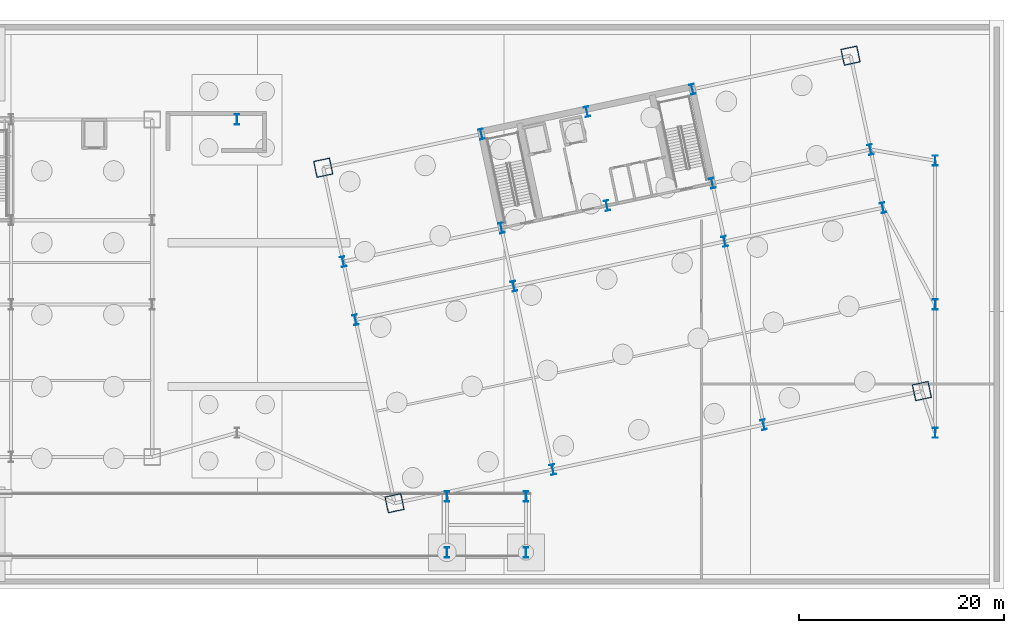
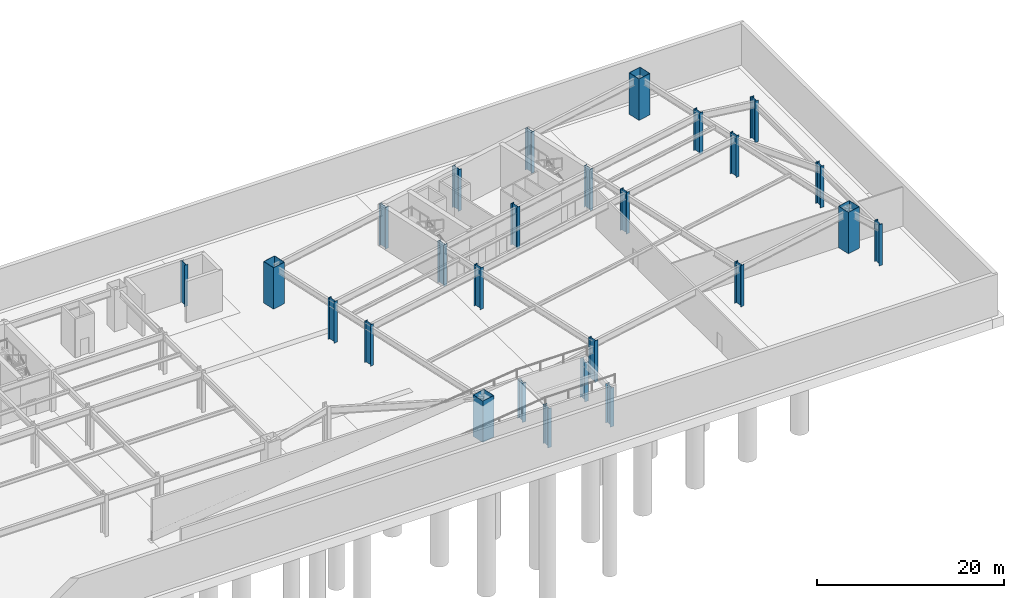
# One storey, part 3 of 15: 26 columns.
"""IFC4 building model written with IfcOpenShell, lengths in metres."""

import ifcopenshell
import ifcopenshell.guid

model = None  # the IFC model being written
_history = None  # IfcOwnerHistory: only IFC2X3 demands one
_inside = {}  # id of a spatial element -> (the spatial element, [elements in it])
_under = {}  # id of a project, library or spatial element -> (it, [spatial elements below it])
_declared = {}  # id of a project -> (the project, [libraries it declares])
_typed = {}  # id of a type object -> (the type object, [elements of that type])
_made_of = {}  # id of a material, layer set ... -> (it, [elements and type objects made of it])


def new_model(schema):
    """Start an empty IFC model of exactly this schema.

    Asked for "IFC4X3", IfcOpenShell would pick the latest addendum, in which some entities
    have other attributes; the version numbers below select the first issue.
    IFC2X3 requires an IfcOwnerHistory on every rooted entity: one is made here for all.
    """
    global model, _history
    if schema == "IFC4X3":
        model = ifcopenshell.file(schema_version=(4, 3, 0, 0))
    else:
        model = ifcopenshell.file(schema=schema)
    _inside.clear()
    _under.clear()
    _declared.clear()
    _typed.clear()
    _made_of.clear()
    _history = None
    if model.schema == "IFC2X3":
        org = make("IfcOrganization", Name="unknown")
        user = make(
            "IfcPersonAndOrganization",
            ThePerson=make("IfcPerson", FamilyName="unknown"),
            TheOrganization=org,
        )
        app = make(
            "IfcApplication",
            ApplicationDeveloper=org,
            Version="unknown",
            ApplicationFullName="unknown",
            ApplicationIdentifier="unknown",
        )
        _history = make(
            "IfcOwnerHistory",
            OwningUser=user,
            OwningApplication=app,
            ChangeAction="ADDED",
            CreationDate=0,
        )
    return model


def make(cls, **values):
    """One entity of the class cls with the attributes given. An attribute that is None is left unset."""
    return model.create_entity(
        cls, **{name: value for name, value in values.items() if value is not None}
    )


def rooted(cls, **values):
    """An entity with a GlobalId (a new one), such as an element, a storey or a relation."""
    return make(cls, GlobalId=ifcopenshell.guid.new(), OwnerHistory=_history, **values)


def si_unit(unit_type, name, prefix=None):
    """IfcSIUnit, for example si_unit("LENGTHUNIT", "METRE", prefix="MILLI")."""
    return make("IfcSIUnit", UnitType=unit_type, Prefix=prefix, Name=name)


def assignment(units):
    """IfcUnitAssignment: the units of a project."""
    return None if units is None else make("IfcUnitAssignment", Units=units)


def point(xyz):
    """IfcCartesianPoint."""
    return None if xyz is None else make("IfcCartesianPoint", Coordinates=xyz)


def direction(xyz):
    """IfcDirection."""
    return None if xyz is None else make("IfcDirection", DirectionRatios=xyz)


def frame(location, z_axis=None, x_axis=None):
    """IfcAxis2Placement3D, a coordinate frame: its origin and axes. An axis left out is left unset."""
    return make(
        "IfcAxis2Placement3D",
        Location=point(location),
        Axis=direction(z_axis),
        RefDirection=direction(x_axis),
    )


def frame_2d(location, x_axis=None):
    """IfcAxis2Placement2D, a coordinate frame in the plane: its origin and x axis."""
    return make(
        "IfcAxis2Placement2D", Location=point(location), RefDirection=direction(x_axis)
    )


def origin():
    """The frame at (0, 0, 0) with its axes left unset."""
    return frame((0.0, 0.0, 0.0))


def origin_2d():
    """The frame at (0, 0) in the plane with its x axis left unset."""
    return frame_2d((0.0, 0.0))


def place(relative_to, where):
    """IfcLocalPlacement: puts the frame where relative to a parent placement (None: the world)."""
    return make(
        "IfcLocalPlacement", PlacementRelTo=relative_to, RelativePlacement=where
    )


def context(
    kind, dimensions, precision=None, world=None, true_north=None, identifier=None
):
    """IfcGeometricRepresentationContext, for example the 3D "Model" context."""
    return make(
        "IfcGeometricRepresentationContext",
        ContextIdentifier=identifier,
        ContextType=kind,
        CoordinateSpaceDimension=dimensions,
        Precision=precision,
        WorldCoordinateSystem=world,
        TrueNorth=true_north,
    )


def subcontext(parent, identifier, kind, view, scale=None):
    """IfcGeometricRepresentationSubContext, for example "Body" below "Model"."""
    return make(
        "IfcGeometricRepresentationSubContext",
        ContextIdentifier=identifier,
        ContextType=kind,
        ParentContext=parent,
        TargetScale=scale,
        TargetView=view,
    )


def project(units=None, contexts=None):
    """IfcProject with its units and contexts."""
    return rooted(
        "IfcProject",
        Name="project",
        RepresentationContexts=contexts,
        UnitsInContext=assignment(units),
    )


def spatial(cls, under=None, at=None, **own):
    """A site, building, storey or space (cls), placed at a placement, below another one or the project."""
    s = rooted(cls, ObjectPlacement=at, **own)
    if under is not None:
        _under.setdefault(under.id(), (under, []))[1].append(s)
    return s


def profile(cls, at=None, kind="AREA", **sizes):
    """A parametric profile (cls). Its sizes go by their IFC names, for example OverallWidth=200.0."""
    return make(cls, ProfileType=kind, Position=at, **sizes)


def hollow_rectangle(**sizes):
    """IfcRectangleHollowProfileDef."""
    return profile("IfcRectangleHollowProfileDef", **sizes)


def i_section(**sizes):
    """IfcIShapeProfileDef."""
    return profile("IfcIShapeProfileDef", **sizes)


def extrude(swept, where, along, depth):
    """IfcExtrudedAreaSolid: the profile swept, set in the frame where, extruded along a direction by depth."""
    return make(
        "IfcExtrudedAreaSolid",
        SweptArea=swept,
        Position=where,
        ExtrudedDirection=direction(along),
        Depth=depth,
    )


def shape(context_of_items, identifier, shape_type, items):
    """IfcShapeRepresentation: the items that make up one representation, for example the "Body"."""
    return make(
        "IfcShapeRepresentation",
        ContextOfItems=context_of_items,
        RepresentationIdentifier=identifier,
        RepresentationType=shape_type,
        Items=items,
    )


def material(Name=None, Category=None):
    """IfcMaterial."""
    return make("IfcMaterial", Name=Name, Category=Category)


def material_profile(
    of_material, cross_section, Name=None, Category=None, Priority=None
):
    """IfcMaterialProfile: a cross section and its material."""
    return make(
        "IfcMaterialProfile",
        Name=Name,
        Material=of_material,
        Profile=cross_section,
        Priority=Priority,
        Category=Category,
    )


def profile_set(profiles, Name=None, composite=None):
    """IfcMaterialProfileSet."""
    return make(
        "IfcMaterialProfileSet",
        Name=Name,
        MaterialProfiles=profiles,
        CompositeProfile=composite,
    )


def made_of(thing, what):
    """Note that an element or type object is made of a material, layer set ...; save() writes the relation."""
    if what is not None:
        _made_of.setdefault(what.id(), (what, []))[1].append(thing)
    return thing


def type_object(cls, material=None, **own):
    """A type object (cls), such as IfcWallType, which elements share."""
    return made_of(rooted(cls, **own), material)


def element(
    cls,
    number,
    at=None,
    inside=None,
    cuts=None,
    type_object=None,
    material=None,
    context=None,
    identifier="Body",
    shape_type=None,
    held_by="IfcProductDefinitionShape",
    body=None,
    shapes=None,
    **own,
):
    """One element of the class cls, such as IfcWall. Its Tag is "e" and its number.

    at: its placement. inside: the storey or other place that contains it. cuts: it is an
    opening in that element (IfcRelVoidsElement). A single representation is given by context,
    identifier, shape_type and body (its items); several are given by shapes. held_by: the class
    of the entity that holds the representations. save() writes the other relations.
    """
    e = rooted(cls, Tag="e%d" % number, ObjectPlacement=at, **own)
    if body is not None:
        shapes = [shape(context, identifier, shape_type, body)]
    if shapes is not None:
        e.Representation = make(held_by, Representations=shapes)
    if inside is not None:
        _inside.setdefault(inside.id(), (inside, []))[1].append(e)
    if cuts is not None:
        rooted(
            "IfcRelVoidsElement", RelatingBuildingElement=cuts, RelatedOpeningElement=e
        )
    if type_object is not None:
        _typed.setdefault(type_object.id(), (type_object, []))[1].append(e)
    return made_of(e, material)


def aggregate(whole, parts):
    """IfcRelAggregates: a whole, such as a stair, and the parts it consists of."""
    return rooted("IfcRelAggregates", RelatingObject=whole, RelatedObjects=parts)


def save(model, path):
    """Write the relations noted so far, then the file.

    IfcRelAggregates (storeys below a building ...), IfcRelContainedInSpatialStructure (elements
    in a storey), IfcRelDefinesByType, IfcRelAssociatesMaterial and IfcRelDeclares: one each for
    every whole, place, type object, material and project.
    """
    for whole, parts in _under.values():
        aggregate(whole, parts)
    for where, things in _inside.values():
        rooted(
            "IfcRelContainedInSpatialStructure",
            RelatedElements=things,
            RelatingStructure=where,
        )
    for kind, things in _typed.values():
        rooted("IfcRelDefinesByType", RelatedObjects=things, RelatingType=kind)
    for what, things in _made_of.values():
        rooted("IfcRelAssociatesMaterial", RelatedObjects=things, RelatingMaterial=what)
    for by, libraries in _declared.values():
        rooted("IfcRelDeclares", RelatingContext=by, RelatedDefinitions=libraries)
    model.write(path)


model = new_model("IFC4")

# Units and contexts
model_context = context("Model", 3, precision=1e-05, world=origin(), true_north=direction((0.0, 1.0)))
body_context = subcontext(model_context, "Body", "Model", "MODEL_VIEW")
ifc_project = project(units=[si_unit("LENGTHUNIT", "METRE"), si_unit("AREAUNIT", "SQUARE_METRE"), si_unit("VOLUMEUNIT", "CUBIC_METRE"), si_unit("PLANEANGLEUNIT", "RADIAN"), si_unit("MASSUNIT", "GRAM", prefix="KILO")], contexts=[model_context])

# Site, building, storey
site_placement = place(None, origin())
site = spatial("IfcSite", under=ifc_project, at=site_placement, CompositionType="ELEMENT")
building_placement = place(site_placement, origin())
building = spatial("IfcBuilding", under=site, at=building_placement, Name="Haevon Station Towers", CompositionType="ELEMENT")
storey_placement = place(building_placement, frame((0.0, 0.0, -10.800048828125)))
storey = spatial("IfcBuildingStorey", under=building, at=storey_placement, Name="B02", CompositionType="ELEMENT", Elevation=-10.800048828125)

# Columns
ifc_material = material(Name="Steel S460", Category="steel")
ifc_material_profile_1 = material_profile(ifc_material, hollow_rectangle(XDim=1.60009765625, YDim=1.60009765625, WallThickness=0.0400390625, at=origin_2d()), Name="BOX-1600x1600x40")
ifc_profile_set_1 = profile_set([ifc_material_profile_1], Name="Steel S460")
column_type_1 = type_object("IfcColumnType", Name="COL-MC1", PredefinedType="COLUMN", material=ifc_profile_set_1)
for number, where, z_axis, x_axis, name in (
    (1, (88.346923828125, 10.643310546875, 0.0), (0.0, 0.0, 1.0), (0.978147600734, 0.207911690818, 0.0), "COL-T2-B02-01-01"),
    (2, (81.402587890625, 43.3134765625, 0.0), (0.0, 0.0, 1.0), (0.978147600734, 0.207911690818, 0.0), "COL-T2-B02-01-04"),
    (3, (139.699462890625, 21.558837890625, 0.0), (0.0, 0.0, 1.0), (0.978147600734, 0.207911690818, 0.0), "COL-T2-B02-05-01"),
    (4, (132.75537109375, 54.228759765625, 0.0), (0.0, 0.0, 1.0), (0.978147600734, 0.207911690818, 0.0), "COL-T2-B02-05-04"),
):
    element("IfcColumn", number, at=place(storey_placement, frame(where, z_axis=z_axis, x_axis=x_axis)), inside=storey, type_object=column_type_1, Name=name, PredefinedType="COLUMN", context=body_context, shape_type="SweptSolid", body=[
        extrude(hollow_rectangle(XDim=1.60009765625, YDim=1.60009765625, WallThickness=0.0400390625, at=origin_2d()), origin(), (0.0, 0.0, 1.0), 5.400146484375),
    ])
ifc_material_profile_2 = material_profile(ifc_material, i_section(OverallWidth=0.449951171875, OverallDepth=1.0, WebThickness=0.02197265625, FlangeThickness=0.0400390625, at=origin_2d()), Name="H-1000x450x22x40")
ifc_profile_set_2 = profile_set([ifc_material_profile_2], Name="Steel S460")
column_type_2 = type_object("IfcColumnType", Name="COL-POD1", PredefinedType="COLUMN", material=ifc_profile_set_2)
for number, where, z_axis, x_axis, name in (
    (5, (84.552490234375, 28.49462890625, 0.0), (0.0, 0.0, 1.0), (0.978147600734, 0.207911690818, 0.0), "COL-T2-B02-01-02"),
    (6, (83.346435546875, 34.167724609375, 0.0), (0.0, 0.0, 1.0), (0.978147600734, 0.207911690818, 0.0), "COL-T2-B02-01-03"),
    (7, (103.752685546875, 13.91796875, 0.0), (0.0, 0.0, 1.0), (0.978147600734, 0.207911690818, 0.0), "COL-T2-B02-02-01"),
    (8, (99.958251953125, 31.76904296875, 0.0), (0.0, 0.0, 1.0), (0.978147600734, 0.207911690818, 0.0), "COL-T2-B02-02-02"),
    (9, (98.75244140625, 37.4423828125, 0.0), (0.0, 0.0, 1.0), (0.978147600734, 0.207911690818, 0.0), "COL-T2-B02-02-03"),
    (10, (96.808349609375, 46.588134765625, 0.0), (0.0, 0.0, 1.0), (0.978147600734, 0.207911690818, 0.0), "COL-T2-B02-02-04"),
    (11, (109.02294921875, 39.62548828125, 0.0), (0.0, 0.0, 1.0), (0.978147600734, 0.207911690818, 0.0), "COL-T2-B02-03-03"),
    (12, (107.078857421875, 48.771240234375, 0.0), (0.0, 0.0, 1.0), (0.978147600734, 0.207911690818, 0.0), "COL-T2-B02-03-04"),
    (13, (124.293701171875, 18.2841796875, 0.0), (0.0, 0.0, 1.0), (0.978147600734, 0.207911690818, 0.0), "COL-T2-B02-04-01"),
    (14, (120.499267578125, 36.13525390625, 0.0), (0.0, 0.0, 1.0), (0.978147600734, 0.207911690818, 0.0), "COL-T2-B02-04-02"),
    (15, (119.29345703125, 41.80859375, 0.0), (0.0, 0.0, 1.0), (0.978147600734, 0.207911690818, 0.0), "COL-T2-B02-04-03"),
    (16, (117.349365234375, 50.954345703125, 0.0), (0.0, 0.0, 1.0), (0.978147600734, 0.207911690818, 0.0), "COL-T2-B02-04-04"),
    (17, (135.9052734375, 39.409912109375, 0.0), (0.0, 0.0, 1.0), (0.978147600734, 0.207911690818, 0.0), "COL-T2-B02-05-02"),
    (18, (134.69921875, 45.083251953125, 0.0), (0.0, 0.0, 1.0), (0.978147600734, 0.207911690818, 0.0), "COL-T2-B02-05-03"),
    (19, (73.0, 48.0, 0.0), (0.0, 0.0, 1.0), (1.0, 0.0, 0.0), "COL-POD-B02-M2"),
    (20, (141.0, 17.5, 0.0), (0.0, 0.0, 1.0), (1.0, 0.0, 0.0), "COL-POD-B02-E1"),
    (21, (141.0, 30.0, 0.0), (0.0, 0.0, 1.0), (1.0, 0.0, 0.0), "COL-POD-B02-E2"),
    (22, (141.0, 44.0, 0.0), (0.0, 0.0, 1.0), (1.0, 0.0, 0.0), "COL-POD-B02-E3"),
):
    element("IfcColumn", number, at=place(storey_placement, frame(where, z_axis=z_axis, x_axis=x_axis)), inside=storey, type_object=column_type_2, Name=name, PredefinedType="COLUMN", context=body_context, shape_type="SweptSolid", body=[
        extrude(i_section(OverallWidth=0.449951171875, OverallDepth=1.0, WebThickness=0.02197265625, FlangeThickness=0.0400390625, at=origin_2d()), origin(), (0.0, 0.0, 1.0), 5.400146484375),
    ])
for number, where, z_axis, x_axis, name in (
    (23, (93.449951171875, 5.85009765625, 0.0), (0.0, 0.0, 1.0), (1.0, 0.0, 0.0), "COL-RMP-B02-1"),
    (24, (101.14990234375, 5.85009765625, 0.0), (0.0, 0.0, 1.0), (1.0, 0.0, 0.0), "COL-RMP-B02-2"),
    (25, (101.14990234375, 11.300048828125, 0.0), (0.0, 0.0, 1.0), (1.0, 0.0, 0.0), "COL-RMP-B02-3"),
    (26, (93.449951171875, 11.300048828125, 0.0), (0.0, 0.0, 1.0), (1.0, 0.0, 0.0), "COL-RMP-B02-4"),
):
    element("IfcColumn", number, at=place(storey_placement, frame(where, z_axis=z_axis, x_axis=x_axis)), inside=storey, type_object=column_type_2, Name=name, PredefinedType="COLUMN", context=body_context, shape_type="SweptSolid", body=[
        extrude(i_section(OverallWidth=0.449951171875, OverallDepth=1.0, WebThickness=0.02197265625, FlangeThickness=0.0400390625, at=origin_2d()), origin(), (0.0, 0.0, 1.0), 5.10009765625),
    ])

save(model, "model.ifc")
